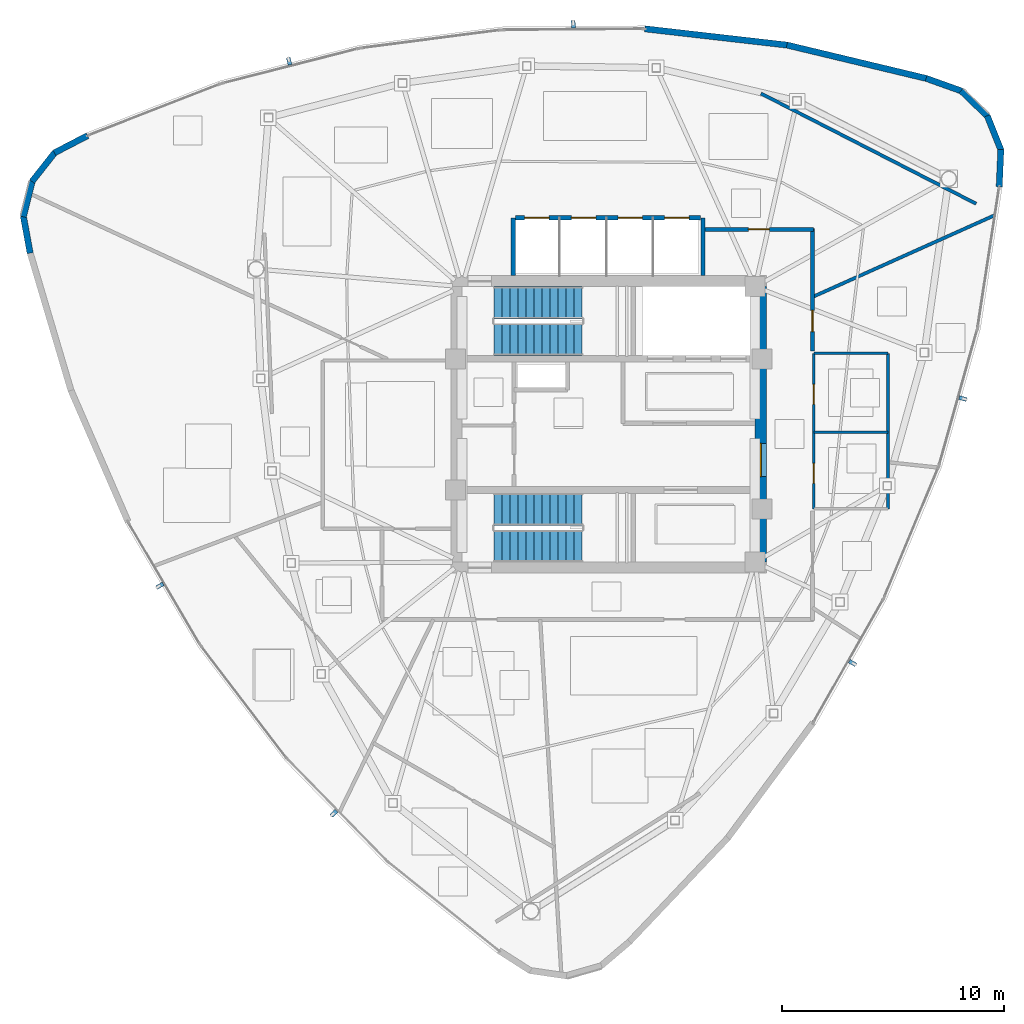
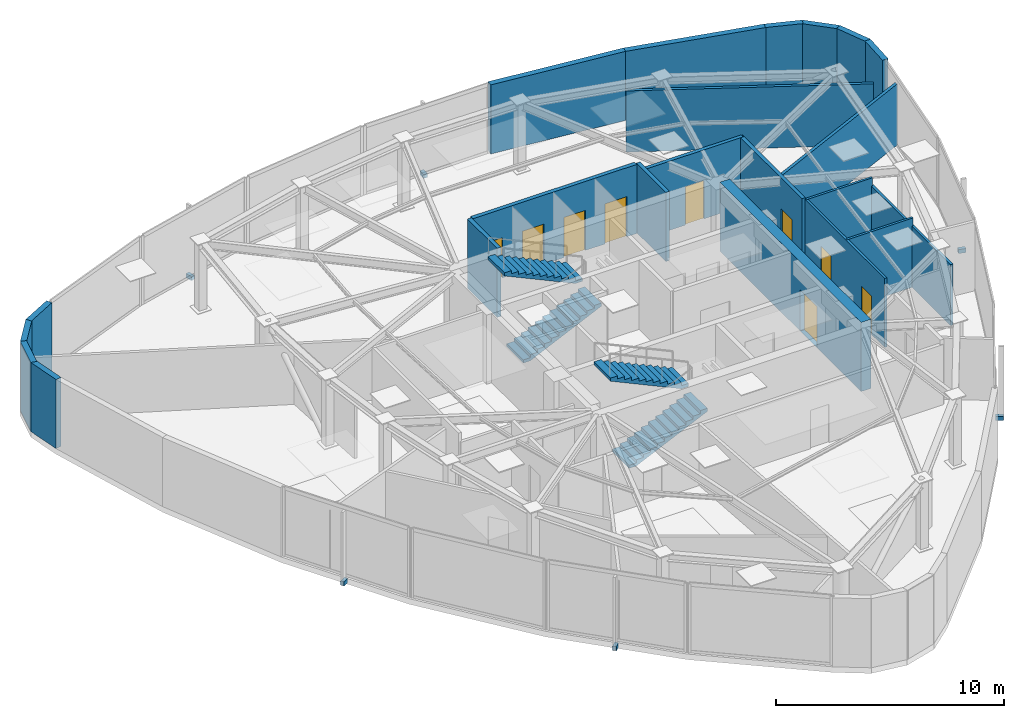
# One storey, part 9 of 11: 22 walls, 9 doors, 6 discrete accessories, 4 stair flights, 9 openings, 2 elements without a shape of their own.
"""IFC4 building model written with IfcOpenShell, lengths in metres."""

from ifc_helpers import new_model, si_unit, direction, frame, frame_2d, origin, origin_2d, place, context, subcontext, project, spatial, polyline, rectangle, outline, extrude, source, transform, mapped, material, layer, layer_set, type_object, type_shapes, element, fill, aggregate, save


model = new_model("IFC4")

# Units and contexts
model_context = context("Model", 3, precision=1e-05, world=origin(), true_north=direction((0.0, 1.0)))
body_context = subcontext(model_context, "Body", "Model", "MODEL_VIEW")
ifc_project = project(units=[si_unit("LENGTHUNIT", "METRE"), si_unit("AREAUNIT", "SQUARE_METRE"), si_unit("VOLUMEUNIT", "CUBIC_METRE"), si_unit("PLANEANGLEUNIT", "RADIAN"), si_unit("MASSUNIT", "GRAM", prefix="KILO")], contexts=[model_context])

# Site, building, storey
site_placement = place(None, origin())
site = spatial("IfcSite", under=ifc_project, at=site_placement, CompositionType="ELEMENT")
building_placement = place(site_placement, origin())
building = spatial("IfcBuilding", under=site, at=building_placement, Name="Tavelor Broadcast Tower", CompositionType="ELEMENT")
storey_placement = place(building_placement, frame((0.0, 0.0, 313.5)))
storey = spatial("IfcBuildingStorey", under=building, at=storey_placement, Name="L75", CompositionType="ELEMENT", Elevation=313.5)

# Wall, opening, door
ifc_material_1 = material(Name="Concrete C50/60", Category="concrete")
ifc_layer_1 = layer(ifc_material_1, 0.5)
ifc_layer_set_1 = layer_set([ifc_layer_1], Name="Concrete C50/60")
wall_type_1 = type_object("IfcWallType", Name="Core Shear Wall 500 mm", PredefinedType="SHEAR", material=ifc_layer_set_1)
wall_1_placement = place(storey_placement, frame((56.85009765625, 38.800048828125, 0.0), z_axis=(0.0, 0.0, 1.0), x_axis=(0.0, 1.0, 0.0)))
wall_1 = element("IfcWall", 1, at=wall_1_placement, inside=storey, type_object=wall_type_1, Name="L75 Central Core Shear Wall E", PredefinedType="SHEAR", context=body_context, shape_type="SweptSolid", body=[
    extrude(rectangle(XDim=12.39990234375, YDim=0.5, at=frame_2d((6.199951171875, 0.0))), origin(), (0.0, 0.0, 1.0), 3.699951171875),
])
opening_1_placement = place(wall_1_placement, frame((3.85009765625, 0.0, 0.0)))
opening_1 = element("IfcOpeningElement", 2, at=opening_1_placement, cuts=wall_1, Name="Opening DR14", PredefinedType="OPENING", context=body_context, shape_type="SweptSolid", body=[
    extrude(rectangle(XDim=1.5, YDim=2.199951171875, at=frame_2d((0.75, 1.10009765625))), frame((0.0, 0.260009765625, 0.0), z_axis=(0.0, -1.0, 0.0), x_axis=(1.0, 0.0, 0.0)), (0.0, 0.0, 1.0), 0.52001953125),
])
ifc_material_2 = material(Name="Steel S355", Category="steel")
door_type_1 = type_object("IfcDoorType", Name="Firefighting Lobby Double Fire Door 1500x2200", OperationType="NOTDEFINED", PredefinedType="DOOR", material=ifc_material_2)
door_1_placement = place(opening_1_placement, origin())
door_1 = element("IfcDoor", 3, at=door_1_placement, inside=storey, type_object=door_type_1, Name="L75 Central Core Lobby Fire Door", OperationType="SINGLE_SWING_RIGHT", OverallHeight=2.199951171875, OverallWidth=1.5, PredefinedType="DOOR", context=body_context, shape_type="SweptSolid", body=[
    extrude(rectangle(XDim=1.5, YDim=2.199951171875, at=frame_2d((0.75, 1.10009765625))), frame((0.0, 0.02490234375, 0.0), z_axis=(0.0, -1.0, 0.0), x_axis=(1.0, 0.0, 0.0)), (0.0, 0.0, 1.0), 0.050048828125),
])
fill(opening_1, door_1)

ifc_material_3 = material(Name="Calcium Silicate Fire Board 180 mm", Category="gypsum")
ifc_layer_2 = layer(ifc_material_3, 0.179931640625)
ifc_layer_set_2 = layer_set([ifc_layer_2], Name="Calcium Silicate Fire Board 180 mm")
wall_type_2 = type_object("IfcWallType", Name="Fire-Rated Corridor Partition Wall 180 mm", PredefinedType="PARTITIONING", material=ifc_layer_set_2)
wall_2_placement = place(storey_placement, frame((54.300048828125, 53.780029296875, 0.0), z_axis=(0.0, 0.0, 1.0), x_axis=(1.0, 0.0, 0.0)))
wall_2 = element("IfcWall", 4, at=wall_2_placement, inside=storey, type_object=wall_type_2, Name="L75 Corridor Compartment Wall 01", PredefinedType="PARTITIONING", context=body_context, shape_type="SweptSolid", body=[
    extrude(rectangle(XDim=4.929931640625, YDim=0.179931640625, at=frame_2d((2.46484375, 0.0))), origin(), (0.0, 0.0, 1.0), 3.699951171875),
])
opening_2_placement = place(wall_2_placement, frame((1.989990234375, 0.0, 0.0)))
opening_2 = element("IfcOpeningElement", 5, at=opening_2_placement, cuts=wall_2, Name="Opening DR18", PredefinedType="OPENING", context=body_context, shape_type="SweptSolid", body=[
    extrude(rectangle(XDim=0.949951171875, YDim=2.050048828125, at=frame_2d((0.47509765625, 1.02490234375))), frame((0.0, 0.10009765625, 0.0), z_axis=(0.0, -1.0, 0.0), x_axis=(1.0, 0.0, 0.0)), (0.0, 0.0, 1.0), 0.199951171875),
])
ifc_material_4 = material(Name="Timber Solid Core Hardwood", Category="wood")
door_type_2 = type_object("IfcDoorType", Name="Corridor Rated Compartment Door 950x2050", OperationType="NOTDEFINED", PredefinedType="DOOR", material=ifc_material_4)
door_2_placement = place(opening_2_placement, origin())
door_2 = element("IfcDoor", 6, at=door_2_placement, inside=storey, type_object=door_type_2, Name="L75 Executive Reading Study Door R6", OperationType="SINGLE_SWING_LEFT", OverallHeight=2.050048828125, OverallWidth=0.949951171875, PredefinedType="DOOR", context=body_context, shape_type="SweptSolid", body=[
    extrude(rectangle(XDim=0.949951171875, YDim=2.050048828125, at=frame_2d((0.47509765625, 1.02490234375))), frame((0.0, 0.02490234375, 0.0), z_axis=(0.0, -1.0, 0.0), x_axis=(1.0, 0.0, 0.0)), (0.0, 0.0, 1.0), 0.050048828125),
])
fill(opening_2, door_2)

wall_3_placement = place(storey_placement, frame((59.179931640625, 53.830078125, 0.0), z_axis=(0.0, 0.0, 1.0), x_axis=(0.0, -1.0, 0.0)))
wall_3 = element("IfcWall", 7, at=wall_3_placement, inside=storey, type_object=wall_type_2, Name="L75 Corridor Compartment Wall 02", PredefinedType="PARTITIONING", context=body_context, shape_type="SweptSolid", body=[
    extrude(rectangle(XDim=5.530029296875, YDim=0.179931640625, at=frame_2d((2.76513671875, 0.0))), origin(), (0.0, 0.0, 1.0), 3.699951171875),
])
opening_3_placement = place(wall_3_placement, frame((3.7001953125, 0.0, 0.0)))
opening_3 = element("IfcOpeningElement", 8, at=opening_3_placement, cuts=wall_3, Name="Opening DR18", PredefinedType="OPENING", context=body_context, shape_type="SweptSolid", body=[
    extrude(rectangle(XDim=0.949951171875, YDim=2.050048828125, at=frame_2d((0.47509765625, 1.02490234375))), frame((0.0, 0.10009765625, 0.0), z_axis=(0.0, -1.0, 0.0), x_axis=(1.0, 0.0, 0.0)), (0.0, 0.0, 1.0), 0.199951171875),
])
door_3_placement = place(opening_3_placement, origin())
door_3 = element("IfcDoor", 9, at=door_3_placement, inside=storey, type_object=door_type_2, Name="L75 Broadcast Crew Room Door R0", OperationType="SINGLE_SWING_RIGHT", OverallHeight=2.050048828125, OverallWidth=0.949951171875, PredefinedType="DOOR", context=body_context, shape_type="SweptSolid", body=[
    extrude(rectangle(XDim=0.949951171875, YDim=2.050048828125, at=frame_2d((0.47509765625, 1.02490234375))), frame((0.0, 0.02490234375, 0.0), z_axis=(0.0, -1.0, 0.0), x_axis=(1.0, 0.0, 0.0)), (0.0, 0.0, 1.0), 0.050048828125),
])
fill(opening_3, door_3)

# Walls
ifc_material_5 = material(Name="Precast Concrete C40/50", Category="concrete")
ifc_layer_3 = layer(ifc_material_5, 0.280029296875)
ifc_layer_set_3 = layer_set([ifc_layer_3], Name="Precast Concrete C40/50")
wall_type_3 = type_object("IfcWallType", Name="Insulated Precast Terracotta Facade Wall 280 mm", PredefinedType="STANDARD", material=ifc_layer_set_3)
wall_4_placement = place(storey_placement, frame((26.5458984375, 58.0, 0.0), z_axis=(0.0, 0.0, 1.0), x_axis=(-0.88740001266, -0.461000235934, 0.0)))
element("IfcWall", 10, at=wall_4_placement, inside=storey, type_object=wall_type_3, Name="L75 Rounded Corner Structural Cladding Pier 01", PredefinedType="STANDARD", context=body_context, shape_type="SweptSolid", body=[
    extrude(rectangle(XDim=1.679443359375, YDim=0.280029296875, at=frame_2d((0.83984375, 0.0))), origin(), (0.0, 0.0, 1.0), 3.699951171875),
])
for number, where, z_axis, x_axis, name in (
    (11, (25.078369140625, 57.24462890625, 0.0), (0.0, 0.0, 1.0), (-0.619145855666, -0.785276008427, 0.0), "L75 Rounded Corner Structural Cladding Pier 02"),
    (12, (24.05859375, 55.961181640625, 0.0), (0.0, 0.0, 1.0), (-0.24108877112, -0.970503067713, 0.0), "L75 Rounded Corner Structural Cladding Pier 03"),
):
    element("IfcWall", number, at=place(storey_placement, frame(where, z_axis=z_axis, x_axis=x_axis)), inside=storey, type_object=wall_type_3, Name=name, PredefinedType="STANDARD", context=body_context, shape_type="SweptSolid", body=[
        extrude(rectangle(XDim=1.66796875, YDim=0.280029296875, at=frame_2d((0.833984375, 0.0))), origin(), (0.0, 0.0, 1.0), 3.699951171875),
    ])
wall_5_placement = place(storey_placement, frame((23.657470703125, 54.3720703125, 0.0), z_axis=(0.0, 0.0, 1.0), x_axis=(0.179647877077, -0.983730979619, 0.0)))
element("IfcWall", 13, at=wall_5_placement, inside=storey, type_object=wall_type_3, Name="L75 Rounded Corner Structural Cladding Pier 04", PredefinedType="STANDARD", context=body_context, shape_type="SweptSolid", body=[
    extrude(rectangle(XDim=1.690673828125, YDim=0.280029296875, at=frame_2d((0.84521484375, 0.0))), origin(), (0.0, 0.0, 1.0), 3.699951171875),
])
wall_6_placement = place(storey_placement, frame((67.58544921875, 55.694091796875, 0.0), z_axis=(0.0, 0.0, 1.0), x_axis=(0.04448444174, 0.999010077248, 0.0)))
element("IfcWall", 14, at=wall_6_placement, inside=storey, type_object=wall_type_3, Name="L75 Rounded Corner Structural Cladding Pier 21", PredefinedType="STANDARD", context=body_context, shape_type="SweptSolid", body=[
    extrude(rectangle(XDim=1.679443359375, YDim=0.280029296875, at=frame_2d((0.83984375, 0.0))), origin(), (0.0, 0.0, 1.0), 3.699951171875),
])
wall_7_placement = place(storey_placement, frame((67.6650390625, 57.343017578125, 0.0), z_axis=(0.0, 0.0, 1.0), x_axis=(-0.37050713453, 0.928829620147, 0.0)))
element("IfcWall", 15, at=wall_7_placement, inside=storey, type_object=wall_type_3, Name="L75 Rounded Corner Structural Cladding Pier 22", PredefinedType="STANDARD", context=body_context, shape_type="SweptSolid", body=[
    extrude(rectangle(XDim=1.667724609375, YDim=0.280029296875, at=frame_2d((0.833984375, 0.0))), origin(), (0.0, 0.0, 1.0), 3.699951171875),
])
wall_8_placement = place(storey_placement, frame((67.0634765625, 58.86767578125, 0.0), z_axis=(0.0, 0.0, 1.0), x_axis=(-0.720014060071, 0.693959475258, 0.0)))
element("IfcWall", 16, at=wall_8_placement, inside=storey, type_object=wall_type_3, Name="L75 Rounded Corner Structural Cladding Pier 23", PredefinedType="STANDARD", context=body_context, shape_type="SweptSolid", body=[
    extrude(rectangle(XDim=1.66796875, YDim=0.280029296875, at=frame_2d((0.833984375, 0.0))), origin(), (0.0, 0.0, 1.0), 3.699951171875),
])
wall_9_placement = place(storey_placement, frame((65.8876953125, 60.009521484375, 0.0), z_axis=(0.0, 0.0, 1.0), x_axis=(-0.941738644213, 0.336345545526, 0.0)))
element("IfcWall", 17, at=wall_9_placement, inside=storey, type_object=wall_type_3, Name="L75 Rounded Corner Structural Cladding Pier 24", PredefinedType="STANDARD", context=body_context, shape_type="SweptSolid", body=[
    extrude(rectangle(XDim=1.6904296875, YDim=0.280029296875, at=frame_2d((0.84521484375, 0.0))), origin(), (0.0, 0.0, 1.0), 3.699951171875),
])
wall_10_placement = place(storey_placement, frame((64.32421875, 60.569580078125, 0.0), z_axis=(0.0, 0.0, 1.0), x_axis=(-0.972464230554, 0.233052183625, 0.0)))
element("IfcWall", 18, at=wall_10_placement, inside=storey, type_object=wall_type_3, Name="L75 Rounded Corner Structural Cladding Pier 25", PredefinedType="STANDARD", context=body_context, shape_type="SweptSolid", body=[
    extrude(rectangle(XDim=6.477294921875, YDim=0.280029296875, at=frame_2d((3.23876953125, 0.0))), origin(), (0.0, 0.0, 1.0), 3.699951171875),
])
wall_11_placement = place(storey_placement, frame((58.0546875, 62.07373046875, 0.0), z_axis=(0.0, 0.0, 1.0), x_axis=(-0.993518789221, 0.113668005457, 0.0)))
element("IfcWall", 19, at=wall_11_placement, inside=storey, type_object=wall_type_3, Name="L75 Rounded Corner Structural Cladding Pier 26", PredefinedType="STANDARD", context=body_context, shape_type="SweptSolid", body=[
    extrude(rectangle(XDim=6.465087890625, YDim=0.280029296875, at=frame_2d((3.232421875, 0.0))), origin(), (0.0, 0.0, 1.0), 3.699951171875),
])
ifc_material_6 = material(Name="Gypsum Acoustic Plasterboard 150 mm", Category="gypsum")
ifc_layer_4 = layer(ifc_material_6, 0.14990234375)
ifc_layer_set_4 = layer_set([ifc_layer_4], Name="Gypsum Acoustic Plasterboard 150 mm")
wall_type_4 = type_object("IfcWallType", Name="Interior Acoustic Partition Wall 150 mm", PredefinedType="PARTITIONING", material=ifc_layer_set_4)
wall_12_placement = place(storey_placement, frame((66.542724609375, 54.934326171875, 0.0), z_axis=(0.0, 0.0, 1.0), x_axis=(-0.889966951661, 0.456025026673, 0.0)))
element("IfcWall", 20, at=wall_12_placement, inside=storey, type_object=wall_type_4, Name="L75 Corner Tube Brace Furring Wall 3", PredefinedType="PARTITIONING", context=body_context, shape_type="SweptSolid", body=[
    extrude(rectangle(XDim=10.878662109375, YDim=0.14990234375, at=frame_2d((5.439453125, 0.0))), origin(), (0.0, 0.0, 1.0), 3.27490234375),
])
wall_13_placement = place(storey_placement, frame((59.179931640625, 50.73486328125, 0.0), z_axis=(0.0, 0.0, 1.0), x_axis=(0.912356502647, 0.409396643951, 0.0)))
element("IfcWall", 21, at=wall_13_placement, inside=storey, type_object=wall_type_4, Name="L75 Radial Compartment Wall 05", PredefinedType="PARTITIONING", context=body_context, shape_type="SweptSolid", body=[
    extrude(rectangle(XDim=9.01025390625, YDim=0.14990234375, at=frame_2d((4.505126953125, 0.0))), origin(), (0.0, 0.0, 1.0), 3.27490234375),
])

# Wall, openings, doors
ifc_material_7 = material(Name="Concrete Blockwork 200 mm", Category="masonry")
ifc_layer_5 = layer(ifc_material_7, 0.199951171875)
ifc_layer_set_5 = layer_set([ifc_layer_5], Name="Concrete Blockwork 200 mm")
wall_type_5 = type_object("IfcWallType", Name="Lift Hoistway Rated Front Wall 200 mm", PredefinedType="PARTITIONING", material=ifc_layer_set_5)
wall_14_placement = place(storey_placement, frame((45.820068359375, 54.300048828125, 0.0), z_axis=(0.0, 0.0, 1.0), x_axis=(1.0, 0.0, 0.0)))
wall_14 = element("IfcWall", 22, at=wall_14_placement, inside=storey, type_object=wall_type_5, Name="L75 High-Rise Lift Hoistway Front Wall", PredefinedType="PARTITIONING", context=body_context, shape_type="SweptSolid", body=[
    extrude(rectangle(XDim=8.309814453125, YDim=0.199951171875, at=frame_2d((4.15478515625, 0.0))), origin(), (0.0, 0.0, 1.0), 3.699951171875),
])
opening_4_placement = place(wall_14_placement, frame((0.405029296875, 0.0, 0.0)))
opening_4 = element("IfcOpeningElement", 23, at=opening_4_placement, cuts=wall_14, Name="Opening LD01", PredefinedType="OPENING", context=body_context, shape_type="SweptSolid", body=[
    extrude(rectangle(XDim=1.10009765625, YDim=2.14990234375, at=frame_2d((0.550048828125, 1.074951171875))), frame((0.0, 0.10986328125, 0.0), z_axis=(0.0, -1.0, 0.0), x_axis=(1.0, 0.0, 0.0)), (0.0, 0.0, 1.0), 0.219970703125),
])
opening_5_placement = place(wall_14_placement, frame((2.5048828125, 0.0, 0.0)))
opening_5 = element("IfcOpeningElement", 24, at=opening_5_placement, cuts=wall_14, Name="Opening LD01", PredefinedType="OPENING", context=body_context, shape_type="SweptSolid", body=[
    extrude(rectangle(XDim=1.10009765625, YDim=2.14990234375, at=frame_2d((0.550048828125, 1.074951171875))), frame((0.0, 0.10986328125, 0.0), z_axis=(0.0, -1.0, 0.0), x_axis=(1.0, 0.0, 0.0)), (0.0, 0.0, 1.0), 0.219970703125),
])
opening_6_placement = place(wall_14_placement, frame((4.60498046875, 0.0, 0.0)))
opening_6 = element("IfcOpeningElement", 25, at=opening_6_placement, cuts=wall_14, Name="Opening LD01", PredefinedType="OPENING", context=body_context, shape_type="SweptSolid", body=[
    extrude(rectangle(XDim=1.10009765625, YDim=2.14990234375, at=frame_2d((0.550048828125, 1.074951171875))), frame((0.0, 0.10986328125, 0.0), z_axis=(0.0, -1.0, 0.0), x_axis=(1.0, 0.0, 0.0)), (0.0, 0.0, 1.0), 0.219970703125),
])
opening_7_placement = place(wall_14_placement, frame((6.705078125, 0.0, 0.0)))
opening_7 = element("IfcOpeningElement", 26, at=opening_7_placement, cuts=wall_14, Name="Opening LD01", PredefinedType="OPENING", context=body_context, shape_type="SweptSolid", body=[
    extrude(rectangle(XDim=1.10009765625, YDim=2.14990234375, at=frame_2d((0.550048828125, 1.074951171875))), frame((0.0, 0.10986328125, 0.0), z_axis=(0.0, -1.0, 0.0), x_axis=(1.0, 0.0, 0.0)), (0.0, 0.0, 1.0), 0.219970703125),
])
ifc_material_8 = material(Name="Brushed Stainless Steel", Category="steel")
door_type_3 = type_object("IfcDoorType", Name="Passenger Lift Sliding Landing Door 1100x2150", OperationType="NOTDEFINED", PredefinedType="DOOR", material=ifc_material_8)
door_4_placement = place(opening_4_placement, origin())
door_4 = element("IfcDoor", 27, at=door_4_placement, inside=storey, type_object=door_type_3, Name="L75 Lift PLH1 Sliding Landing Door", OperationType="SLIDING_TO_LEFT", OverallHeight=2.14990234375, OverallWidth=1.10009765625, PredefinedType="DOOR", context=body_context, shape_type="SweptSolid", body=[
    extrude(rectangle(XDim=1.10009765625, YDim=2.14990234375, at=frame_2d((0.550048828125, 1.074951171875))), frame((0.0, 0.02490234375, 0.0), z_axis=(0.0, -1.0, 0.0), x_axis=(1.0, 0.0, 0.0)), (0.0, 0.0, 1.0), 0.050048828125),
])
fill(opening_4, door_4)
door_5_placement = place(opening_5_placement, origin())
door_5 = element("IfcDoor", 28, at=door_5_placement, inside=storey, type_object=door_type_3, Name="L75 Lift PLH2 Sliding Landing Door", OperationType="SLIDING_TO_RIGHT", OverallHeight=2.14990234375, OverallWidth=1.10009765625, PredefinedType="DOOR", context=body_context, shape_type="SweptSolid", body=[
    extrude(rectangle(XDim=1.10009765625, YDim=2.14990234375, at=frame_2d((0.550048828125, 1.074951171875))), frame((0.0, 0.02490234375, 0.0), z_axis=(0.0, -1.0, 0.0), x_axis=(1.0, 0.0, 0.0)), (0.0, 0.0, 1.0), 0.050048828125),
])
fill(opening_5, door_5)
door_6_placement = place(opening_6_placement, origin())
door_6 = element("IfcDoor", 29, at=door_6_placement, inside=storey, type_object=door_type_3, Name="L75 Lift PLH3 Sliding Landing Door", OperationType="SLIDING_TO_LEFT", OverallHeight=2.14990234375, OverallWidth=1.10009765625, PredefinedType="DOOR", context=body_context, shape_type="SweptSolid", body=[
    extrude(rectangle(XDim=1.10009765625, YDim=2.14990234375, at=frame_2d((0.550048828125, 1.074951171875))), frame((0.0, 0.02490234375, 0.0), z_axis=(0.0, -1.0, 0.0), x_axis=(1.0, 0.0, 0.0)), (0.0, 0.0, 1.0), 0.050048828125),
])
fill(opening_6, door_6)
door_7_placement = place(opening_7_placement, origin())
door_7 = element("IfcDoor", 30, at=door_7_placement, inside=storey, type_object=door_type_3, Name="L75 Lift PLH4 Sliding Landing Door", OperationType="SLIDING_TO_RIGHT", OverallHeight=2.14990234375, OverallWidth=1.10009765625, PredefinedType="DOOR", context=body_context, shape_type="SweptSolid", body=[
    extrude(rectangle(XDim=1.10009765625, YDim=2.14990234375, at=frame_2d((0.550048828125, 1.074951171875))), frame((0.0, 0.02490234375, 0.0), z_axis=(0.0, -1.0, 0.0), x_axis=(1.0, 0.0, 0.0)), (0.0, 0.0, 1.0), 0.050048828125),
])
fill(opening_7, door_7)

# Walls
ifc_layer_6 = layer(ifc_material_7, 0.199951171875)
ifc_layer_set_6 = layer_set([ifc_layer_6], Name="Concrete Blockwork 200 mm")
wall_type_6 = type_object("IfcWallType", Name="Lift and Riser Shaft Enclosure Wall 200 mm", PredefinedType="PARTITIONING", material=ifc_layer_set_6)
for number, where, z_axis, x_axis, name in (
    (31, (45.699951171875, 51.699951171875, 0.0), (0.0, 0.0, 1.0), (0.0, 1.0, 0.0), "L75 High-Rise Lift Shaft West Wall"),
    (32, (54.25, 51.699951171875, 0.0), (0.0, 0.0, 1.0), (0.0, 1.0, 0.0), "L75 High-Rise Lift Shaft East Wall"),
):
    element("IfcWall", number, at=place(storey_placement, frame(where, z_axis=z_axis, x_axis=x_axis)), inside=storey, type_object=wall_type_6, Name=name, PredefinedType="PARTITIONING", context=body_context, shape_type="SweptSolid", body=[
        extrude(rectangle(XDim=2.60009765625, YDim=0.199951171875, at=frame_2d((1.300048828125, 0.0))), origin(), (0.0, 0.0, 1.0), 3.699951171875),
    ])

# Wall, openings, doors
ifc_material_9 = material(Name="Moisture-Resistant Plasterboard 120 mm", Category="gypsum")
ifc_layer_7 = layer(ifc_material_9, 0.1201171875)
ifc_layer_set_7 = layer_set([ifc_layer_7], Name="Moisture-Resistant Plasterboard 120 mm")
wall_type_7 = type_object("IfcWallType", Name="Moisture-Resistant Wet-Room Partition 120 mm", PredefinedType="PARTITIONING", material=ifc_layer_set_7)
wall_15_placement = place(storey_placement, frame((59.239990234375, 41.199951171875, 0.0), z_axis=(0.0, 0.0, 1.0), x_axis=(0.0, 1.0, 0.0)))
wall_15 = element("IfcWall", 33, at=wall_15_placement, inside=storey, type_object=wall_type_7, Name="L75 Floor Washrooms West Wall", PredefinedType="PARTITIONING", context=body_context, shape_type="SweptSolid", body=[
    extrude(rectangle(XDim=7.0, YDim=0.1201171875, at=frame_2d((3.5, 0.0))), origin(), (0.0, 0.0, 1.0), 3.699951171875),
])
opening_8_placement = place(wall_15_placement, frame((1.14990234375, 0.0, 0.0)))
opening_8 = element("IfcOpeningElement", 34, at=opening_8_placement, cuts=wall_15, Name="Opening DR32", PredefinedType="OPENING", context=body_context, shape_type="SweptSolid", body=[
    extrude(rectangle(XDim=0.89990234375, YDim=2.050048828125, at=frame_2d((0.449951171875, 1.02490234375))), frame((0.0, 0.070068359375, 0.0), z_axis=(0.0, -1.0, 0.0), x_axis=(1.0, 0.0, 0.0)), (0.0, 0.0, 1.0), 0.14013671875),
])
opening_9_placement = place(wall_15_placement, frame((4.699951171875, 0.0, 0.0)))
opening_9 = element("IfcOpeningElement", 35, at=opening_9_placement, cuts=wall_15, Name="Opening DR32", PredefinedType="OPENING", context=body_context, shape_type="SweptSolid", body=[
    extrude(rectangle(XDim=0.89990234375, YDim=2.050048828125, at=frame_2d((0.449951171875, 1.02490234375))), frame((0.0, 0.070068359375, 0.0), z_axis=(0.0, -1.0, 0.0), x_axis=(1.0, 0.0, 0.0)), (0.0, 0.0, 1.0), 0.14013671875),
])
door_type_4 = type_object("IfcDoorType", Name="Accessible Washroom Door 900x2050", OperationType="NOTDEFINED", PredefinedType="DOOR", material=ifc_material_4)
door_8_placement = place(opening_8_placement, origin())
door_8 = element("IfcDoor", 36, at=door_8_placement, inside=storey, type_object=door_type_4, Name="L75 Accessible WC Door", OperationType="SINGLE_SWING_LEFT", OverallHeight=2.050048828125, OverallWidth=0.89990234375, PredefinedType="DOOR", context=body_context, shape_type="SweptSolid", body=[
    extrude(rectangle(XDim=0.89990234375, YDim=2.050048828125, at=frame_2d((0.449951171875, 1.02490234375))), frame((0.0, 0.02490234375, 0.0), z_axis=(0.0, -1.0, 0.0), x_axis=(1.0, 0.0, 0.0)), (0.0, 0.0, 1.0), 0.050048828125),
])
fill(opening_8, door_8)
door_9_placement = place(opening_9_placement, origin())
door_9 = element("IfcDoor", 37, at=door_9_placement, inside=storey, type_object=door_type_4, Name="L75 Staff Washroom WC Door", OperationType="SINGLE_SWING_RIGHT", OverallHeight=2.050048828125, OverallWidth=0.89990234375, PredefinedType="DOOR", context=body_context, shape_type="SweptSolid", body=[
    extrude(rectangle(XDim=0.89990234375, YDim=2.050048828125, at=frame_2d((0.449951171875, 1.02490234375))), frame((0.0, 0.02490234375, 0.0), z_axis=(0.0, -1.0, 0.0), x_axis=(1.0, 0.0, 0.0)), (0.0, 0.0, 1.0), 0.050048828125),
])
fill(opening_9, door_9)

# Walls
for number, where, z_axis, x_axis, name in (
    (38, (59.239990234375, 44.64990234375, 0.0), (0.0, 0.0, 1.0), (1.0, 0.0, 0.0), "L75 Floor Washrooms Divider Wall"),
    (39, (59.239990234375, 48.199951171875, 0.0), (0.0, 0.0, 1.0), (1.0, 0.0, 0.0), "L75 Floor Washrooms North Wall"),
):
    element("IfcWall", number, at=place(storey_placement, frame(where, z_axis=z_axis, x_axis=x_axis)), inside=storey, type_object=wall_type_7, Name=name, PredefinedType="PARTITIONING", context=body_context, shape_type="SweptSolid", body=[
        extrude(rectangle(XDim=3.340087890625, YDim=0.1201171875, at=frame_2d((1.669921875, 0.0))), origin(), (0.0, 0.0, 1.0), 3.699951171875),
    ])
wall_16_placement = place(storey_placement, frame((62.580078125, 41.199951171875, 0.0), z_axis=(0.0, 0.0, 1.0), x_axis=(0.0, 1.0, 0.0)))
element("IfcWall", 40, at=wall_16_placement, inside=storey, type_object=wall_type_7, Name="L75 Floor Washrooms East Wall", PredefinedType="PARTITIONING", context=body_context, shape_type="SweptSolid", body=[
    extrude(rectangle(XDim=7.0, YDim=0.1201171875, at=frame_2d((3.5, 0.0))), origin(), (0.0, 0.0, 1.0), 3.27490234375),
])

# Stair, stair flights
ifc_material_10 = material(Name="Concrete C40/50", Category="concrete")
stair_type = type_object("IfcStairType", Name="Reinforced Concrete Protected Dogleg Stair 1450 mm", PredefinedType="HALF_TURN_STAIR", material=ifc_material_10)
stair_1_placement = place(storey_placement, origin())
stair_1 = element("IfcStair", 41, at=stair_1_placement, inside=storey, type_object=stair_type, Name="L75 Protected Core Exit Stair ST1", PredefinedType="HALF_TURN_STAIR")
stair_flight_type = type_object("IfcStairFlightType", Name="Reinforced Concrete Stair Flight 1450 mm", PredefinedType="STRAIGHT", material=ifc_material_10)
stair_flight_1_placement = place(storey_placement, frame((44.85009765625, 48.824951171875, 0.0), z_axis=(0.0, 0.0, 1.0), x_axis=(1.0, 0.0, 0.0)))
stair_flight_1 = element("IfcStairFlight", 42, at=stair_flight_1_placement, type_object=stair_flight_type, Name="ST1 flight 1", NumberOfRisers=12, NumberOfTreads=11, PredefinedType="STRAIGHT", RiserHeight=0.166666667, TreadLength=0.36, context=body_context, shape_type="SweptSolid", body=[
    extrude(outline(polyline([(0.0, 0.0), (0.0, 0.166748046875), (0.360107421875, 0.166748046875), (0.360107421875, 0.333251953125), (0.719970703125, 0.333251953125), (0.719970703125, 0.5), (1.080078125, 0.5), (1.080078125, 0.666748046875), (1.43994140625, 0.666748046875), (1.43994140625, 0.833251953125), (1.800048828125, 0.833251953125), (1.800048828125, 1.0), (2.159912109375, 1.0), (2.159912109375, 1.166748046875), (2.52001953125, 1.166748046875), (2.52001953125, 1.333251953125), (2.8798828125, 1.333251953125), (2.8798828125, 1.5), (3.239990234375, 1.5), (3.239990234375, 1.666748046875), (3.60009765625, 1.666748046875), (3.60009765625, 1.833251953125), (3.9599609375, 1.833251953125), (3.9599609375, 2.0), (3.9599609375, 1.668212890625), (0.356689453125, 0.0), (0.0, 0.0)])), frame((0.0, 0.72509765625, 0.0), z_axis=(0.0, -1.0, 0.0), x_axis=(1.0, 0.0, 0.0)), (0.0, 0.0, 1.0), 1.449951171875),
])
stair_flight_2_placement = place(storey_placement, frame((48.81005859375, 50.47509765625, 2.0), z_axis=(0.0, 0.0, 1.0), x_axis=(-1.0, 0.0, 0.0)))
stair_flight_2 = element("IfcStairFlight", 43, at=stair_flight_2_placement, type_object=stair_flight_type, Name="ST1 flight 2", NumberOfRisers=12, NumberOfTreads=11, PredefinedType="STRAIGHT", RiserHeight=0.166666667, TreadLength=0.36, context=body_context, shape_type="SweptSolid", body=[
    extrude(outline(polyline([(0.0, 0.0), (0.0, 0.166748046875), (0.360107421875, 0.166748046875), (0.360107421875, 0.333251953125), (0.719970703125, 0.333251953125), (0.719970703125, 0.5), (1.080078125, 0.5), (1.080078125, 0.666748046875), (1.43994140625, 0.666748046875), (1.43994140625, 0.833251953125), (1.800048828125, 0.833251953125), (1.800048828125, 1.0), (2.159912109375, 1.0), (2.159912109375, 1.166748046875), (2.52001953125, 1.166748046875), (2.52001953125, 1.333251953125), (2.8798828125, 1.333251953125), (2.8798828125, 1.5), (3.239990234375, 1.5), (3.239990234375, 1.666748046875), (3.60009765625, 1.666748046875), (3.60009765625, 1.833251953125), (3.9599609375, 1.833251953125), (3.9599609375, 2.0), (3.9599609375, 1.668212890625), (0.356689453125, 0.0), (0.0, 0.0)])), frame((0.0, 0.72509765625, 0.0), z_axis=(0.0, -1.0, 0.0), x_axis=(1.0, 0.0, 0.0)), (0.0, 0.0, 1.0), 1.449951171875),
])
aggregate(stair_1, [stair_flight_1, stair_flight_2])

stair_2_placement = place(storey_placement, origin())
stair_2 = element("IfcStair", 44, at=stair_2_placement, inside=storey, type_object=stair_type, Name="L75 Protected Core Exit Stair ST2", PredefinedType="HALF_TURN_STAIR")
stair_flight_3_placement = place(storey_placement, frame((44.85009765625, 39.52490234375, 0.0), z_axis=(0.0, 0.0, 1.0), x_axis=(1.0, 0.0, 0.0)))
stair_flight_3 = element("IfcStairFlight", 45, at=stair_flight_3_placement, type_object=stair_flight_type, Name="ST2 flight 1", NumberOfRisers=12, NumberOfTreads=11, PredefinedType="STRAIGHT", RiserHeight=0.166666667, TreadLength=0.36, context=body_context, shape_type="SweptSolid", body=[
    extrude(outline(polyline([(0.0, 0.0), (0.0, 0.166748046875), (0.360107421875, 0.166748046875), (0.360107421875, 0.333251953125), (0.719970703125, 0.333251953125), (0.719970703125, 0.5), (1.080078125, 0.5), (1.080078125, 0.666748046875), (1.43994140625, 0.666748046875), (1.43994140625, 0.833251953125), (1.800048828125, 0.833251953125), (1.800048828125, 1.0), (2.159912109375, 1.0), (2.159912109375, 1.166748046875), (2.52001953125, 1.166748046875), (2.52001953125, 1.333251953125), (2.8798828125, 1.333251953125), (2.8798828125, 1.5), (3.239990234375, 1.5), (3.239990234375, 1.666748046875), (3.60009765625, 1.666748046875), (3.60009765625, 1.833251953125), (3.9599609375, 1.833251953125), (3.9599609375, 2.0), (3.9599609375, 1.668212890625), (0.356689453125, 0.0), (0.0, 0.0)])), frame((0.0, 0.72509765625, 0.0), z_axis=(0.0, -1.0, 0.0), x_axis=(1.0, 0.0, 0.0)), (0.0, 0.0, 1.0), 1.449951171875),
])
stair_flight_4_placement = place(storey_placement, frame((48.81005859375, 41.175048828125, 2.0), z_axis=(0.0, 0.0, 1.0), x_axis=(-1.0, 0.0, 0.0)))
stair_flight_4 = element("IfcStairFlight", 46, at=stair_flight_4_placement, type_object=stair_flight_type, Name="ST2 flight 2", NumberOfRisers=12, NumberOfTreads=11, PredefinedType="STRAIGHT", RiserHeight=0.166666667, TreadLength=0.36, context=body_context, shape_type="SweptSolid", body=[
    extrude(outline(polyline([(0.0, 0.0), (0.0, 0.166748046875), (0.360107421875, 0.166748046875), (0.360107421875, 0.333251953125), (0.719970703125, 0.333251953125), (0.719970703125, 0.5), (1.080078125, 0.5), (1.080078125, 0.666748046875), (1.43994140625, 0.666748046875), (1.43994140625, 0.833251953125), (1.800048828125, 0.833251953125), (1.800048828125, 1.0), (2.159912109375, 1.0), (2.159912109375, 1.166748046875), (2.52001953125, 1.166748046875), (2.52001953125, 1.333251953125), (2.8798828125, 1.333251953125), (2.8798828125, 1.5), (3.239990234375, 1.5), (3.239990234375, 1.666748046875), (3.60009765625, 1.666748046875), (3.60009765625, 1.833251953125), (3.9599609375, 1.833251953125), (3.9599609375, 2.0), (3.9599609375, 1.668212890625), (0.356689453125, 0.0), (0.0, 0.0)])), frame((0.0, 0.72509765625, 0.0), z_axis=(0.0, -1.0, 0.0), x_axis=(1.0, 0.0, 0.0)), (0.0, 0.0, 1.0), 1.449951171875),
])
aggregate(stair_2, [stair_flight_3, stair_flight_4])

# Discrete accessories
discrete_accessory_type = type_object("IfcDiscreteAccessoryType", Name="Stainless Baguette Outrigger Support Bracket 260x180", PredefinedType="BRACKET", material=ifc_material_2)
shared_shape = source(origin(), body_context, "Body", "SweptSolid", [
    extrude(rectangle(XDim=0.179931640625, YDim=0.340087890625, at=origin_2d()), origin(), (0.0, 0.0, 1.0), 0.216064453125),
])
type_shapes(discrete_accessory_type, [shared_shape])
for number, where, z_axis, x_axis, name in (
    (47, (29.802490234375, 37.739013671875, -0.2578125), (0.0, 0.0, 1.0), (0.506334807353, -0.862336977557, 0.0), "L75 Baguette Outrigger Bracket 721"),
    (48, (37.63232421875, 27.489013671875, -0.2578125), (0.0, 0.0, 1.0), (0.698789925516, -0.715326946227, 0.0), "L75 Baguette Outrigger Bracket 722"),
    (49, (60.98681640625, 34.256591796875, -0.2578125), (0.0, 0.0, 1.0), (0.493638325511, 0.869667294767, 0.0), "L75 Baguette Outrigger Bracket 723"),
    (50, (65.94873046875, 46.16259765625, -0.2578125), (0.0, 0.0, 1.0), (0.270096344686, 0.962833300518, 0.0), "L75 Baguette Outrigger Bracket 724"),
    (51, (48.41064453125, 63.004150390625, -0.2578125), (0.0, 0.0, 1.0), (-0.999973132864, -0.007330317209, 0.0), "L75 Baguette Outrigger Bracket 725"),
    (52, (35.618896484375, 61.348388671875, -0.2578125), (0.0, 0.0, 1.0), (-0.968886270202, -0.247506354292, 0.0), "L75 Baguette Outrigger Bracket 726"),
):
    element("IfcDiscreteAccessory", number, at=place(storey_placement, frame(where, z_axis=z_axis, x_axis=x_axis)), inside=storey, type_object=discrete_accessory_type, Name=name, PredefinedType="BRACKET", context=body_context, shape_type="MappedRepresentation", body=[
        mapped(shared_shape, transform((0.0, 0.0, 0.0), scale=1.0)),
    ])

save(model, "model.ifc")
